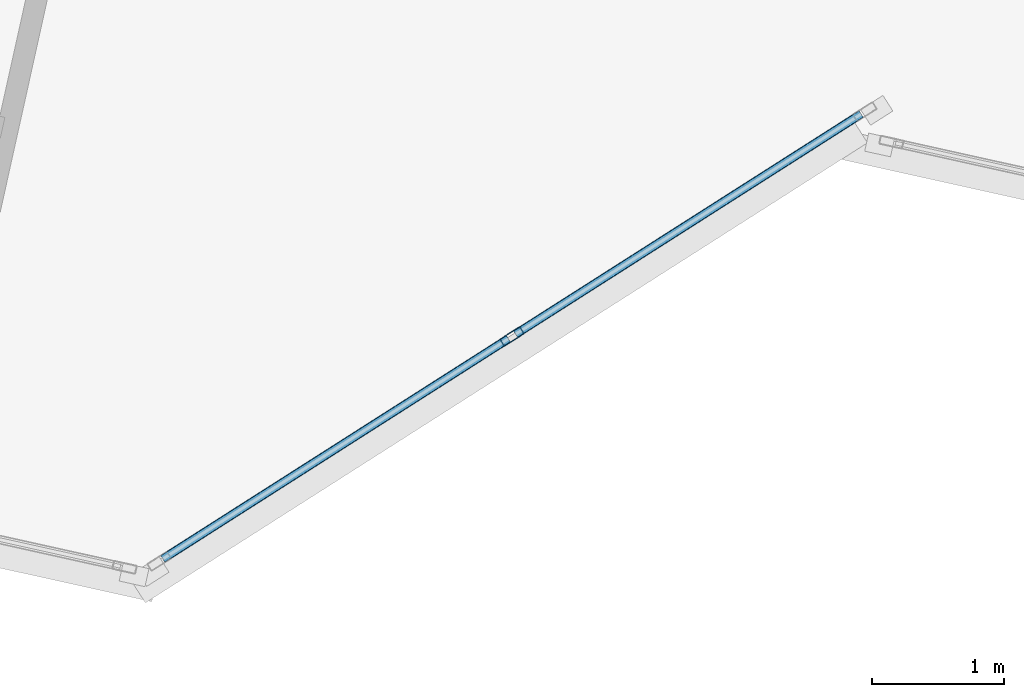
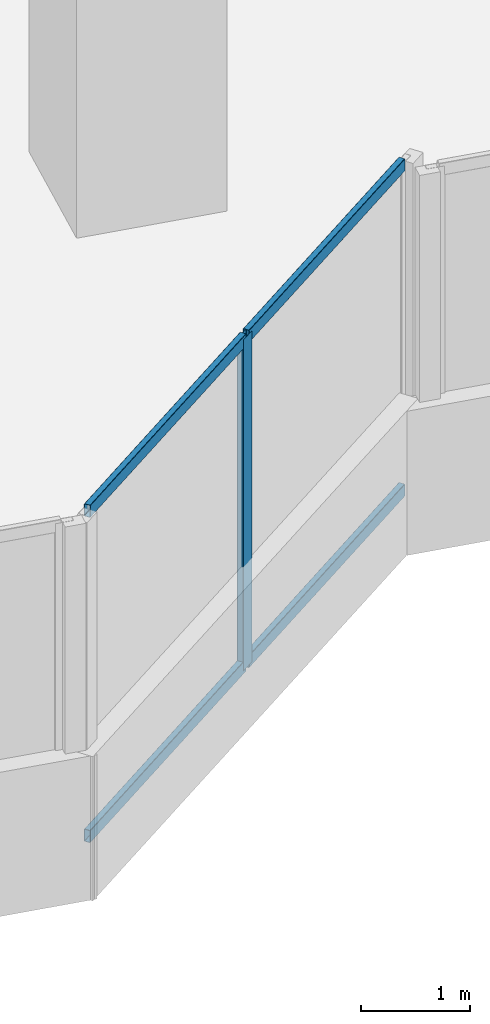
# One storey, part 5 of 25: 5 members, 1 element without a shape of its own.
"""IFC4 building model written with IfcOpenShell, lengths in metres."""

from ifc_helpers import new_model, si_unit, direction, frame, origin, origin_2d, place, context, subcontext, project, spatial, hollow_rectangle, extrude, source, transform, mapped, material, material_profile, profile_set, type_object, element, aggregate, save


model = new_model("IFC4")

# Units and contexts
model_context = context("Model", 3, precision=1e-05, world=origin(), true_north=direction((0.0, 1.0)))
body_context = subcontext(model_context, "Body", "Model", "MODEL_VIEW")
ifc_project = project(units=[si_unit("LENGTHUNIT", "METRE"), si_unit("AREAUNIT", "SQUARE_METRE"), si_unit("VOLUMEUNIT", "CUBIC_METRE"), si_unit("PLANEANGLEUNIT", "RADIAN"), si_unit("MASSUNIT", "GRAM", prefix="KILO")], contexts=[model_context])

# Site, building, storey
site_placement = place(None, origin())
site = spatial("IfcSite", under=ifc_project, at=site_placement, CompositionType="ELEMENT")
building_placement = place(site_placement, origin())
building = spatial("IfcBuilding", under=site, at=building_placement, Name="Torre Montelarca", CompositionType="ELEMENT")
storey_placement = place(building_placement, frame((0.0, 0.0, 87.39990234375)))
storey = spatial("IfcBuildingStorey", under=building, at=storey_placement, Name="L19", CompositionType="ELEMENT", Elevation=87.39990234375)

# Curtain wall, members
ifc_material_1 = material(Name="Insulated low-E laminated glass", Category="glass")
curtain_wall_type = type_object("IfcCurtainWallType", Name="CW-SYS-Z1", PredefinedType="USERDEFINED", material=ifc_material_1)
curtain_wall_placement = place(storey_placement, origin())
curtain_wall = element("IfcCurtainWall", 1, at=curtain_wall_placement, inside=storey, type_object=curtain_wall_type, Name="L19 Curtain Wall Run CW-T3-L19-E02-B1", ObjectType="UNITISED GLAZING", PredefinedType="USERDEFINED")
ifc_material_2 = material(Name="Anodised aluminium AA 6063-T6", Category="aluminium")
ifc_material_profile_1 = material_profile(ifc_material_2, hollow_rectangle(XDim=0.06494140625, YDim=0.139892578125, WallThickness=0.00390625, InnerFilletRadius=0.00390625, OuterFilletRadius=0.008056640625, at=origin_2d()), Name="ALU65X140X4", Category="aluminium")
ifc_profile_set_1 = profile_set([ifc_material_profile_1], Name="Anodised aluminium AA 6063-T6")
member_type_1 = type_object("IfcMemberType", Name="CWT-ALU140", PredefinedType="USERDEFINED", material=ifc_profile_set_1)
shared_shape_1 = source(origin(), body_context, "Body", "SweptSolid", [
    extrude(hollow_rectangle(XDim=0.06494140625, YDim=0.139892578125, WallThickness=0.00390625, InnerFilletRadius=0.00390625, OuterFilletRadius=0.008056640625, at=origin_2d()), origin(), (0.0, 0.0, 1.0), 3.102294921875),
])
member_1_placement = place(storey_placement, frame((30.99853515625, 13.8076171875, 0.03271484375), z_axis=(0.843372972442, 0.537328604631, 0.0), x_axis=(-0.537328604631, 0.843372972442, 0.0)))
member_1 = element("IfcMember", 2, at=member_1_placement, type_object=member_type_1, Name="CW transom 2.1", ObjectType="TRANSOM", PredefinedType="USERDEFINED", context=body_context, shape_type="MappedRepresentation", body=[
    mapped(shared_shape_1, transform((0.0, 0.0, 0.0), scale=1.0)),
])
member_2_placement = place(storey_placement, frame((30.99853515625, 13.8076171875, 3.6875), z_axis=(0.843372972442, 0.537328604631, 0.0), x_axis=(-0.537328604631, 0.843372972442, 0.0)))
member_2 = element("IfcMember", 3, at=member_2_placement, type_object=member_type_1, Name="CW transom 2.2", ObjectType="TRANSOM", PredefinedType="USERDEFINED", context=body_context, shape_type="MappedRepresentation", body=[
    mapped(shared_shape_1, transform((0.0, 0.0, 0.0), scale=1.0)),
])
shared_shape_2 = source(origin(), body_context, "Body", "SweptSolid", [
    extrude(hollow_rectangle(XDim=0.06494140625, YDim=0.139892578125, WallThickness=0.00390625, InnerFilletRadius=0.00390625, OuterFilletRadius=0.008056640625, at=origin_2d()), origin(), (0.0, 0.0, 1.0), 3.1025390625),
])
member_3_placement = place(storey_placement, frame((28.3271484375, 12.105712890625, 0.03271484375), z_axis=(0.843395691124, 0.537292944485, 0.0), x_axis=(-0.537292944485, 0.843395691124, 0.0)))
member_3 = element("IfcMember", 4, at=member_3_placement, type_object=member_type_1, Name="CW transom 1.1", ObjectType="TRANSOM", PredefinedType="USERDEFINED", context=body_context, shape_type="MappedRepresentation", body=[
    mapped(shared_shape_2, transform((0.0, 0.0, 0.0), scale=1.0)),
])
member_4_placement = place(storey_placement, frame((28.3271484375, 12.105712890625, 3.6875), z_axis=(0.843395691124, 0.537292944485, 0.0), x_axis=(-0.537292944485, 0.843395691124, 0.0)))
member_4 = element("IfcMember", 5, at=member_4_placement, type_object=member_type_1, Name="CW transom 1.2", ObjectType="TRANSOM", PredefinedType="USERDEFINED", context=body_context, shape_type="MappedRepresentation", body=[
    mapped(shared_shape_2, transform((0.0, 0.0, 0.0), scale=1.0)),
])
ifc_material_profile_2 = material_profile(ifc_material_2, hollow_rectangle(XDim=0.06494140625, YDim=0.179931640625, WallThickness=0.00390625, InnerFilletRadius=0.00390625, OuterFilletRadius=0.008056640625, at=origin_2d()), Name="ALU65X180X4", Category="aluminium")
ifc_profile_set_2 = profile_set([ifc_material_profile_2], Name="Anodised aluminium AA 6063-T6")
member_type_2 = type_object("IfcMemberType", Name="CWM-ALU180", PredefinedType="MULLION", material=ifc_profile_set_2)
shared_shape_3 = source(origin(), body_context, "Body", "SweptSolid", [
    extrude(hollow_rectangle(XDim=0.06494140625, YDim=0.179931640625, WallThickness=0.00390625, InnerFilletRadius=0.00390625, OuterFilletRadius=0.008056640625, at=origin_2d()), origin(), (0.0, 0.0, 1.0), 3.72021484375),
])
member_5_placement = place(storey_placement, frame((30.97119140625, 13.790283203125, 0.0), z_axis=(0.0, 0.0, 1.0), x_axis=(-0.537312197398, 0.843383425571, 0.0)))
member_5 = element("IfcMember", 6, at=member_5_placement, type_object=member_type_2, Name="CW mullion 2", PredefinedType="MULLION", context=body_context, shape_type="MappedRepresentation", body=[
    mapped(shared_shape_3, transform((0.0, 0.0, 0.0), scale=1.0)),
])
aggregate(curtain_wall, [member_5, member_3, member_4, member_1, member_2])

save(model, "model.ifc")
